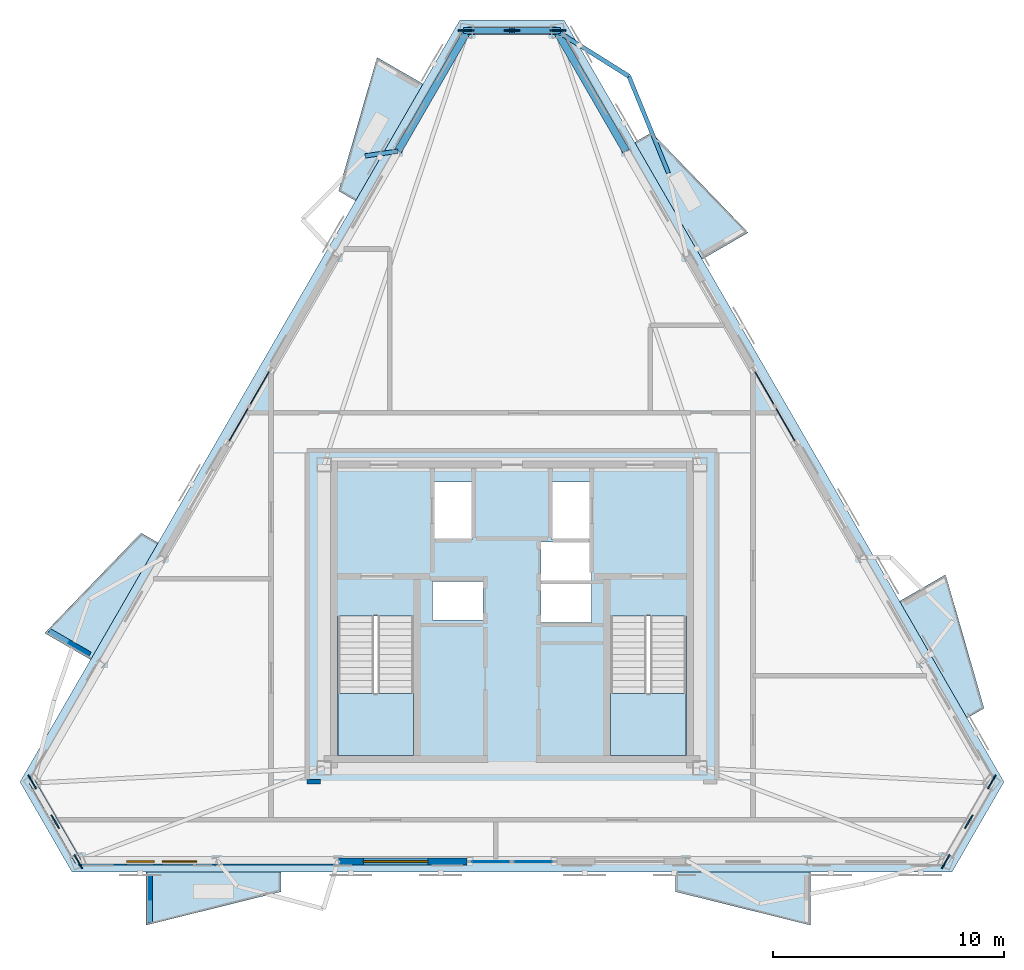
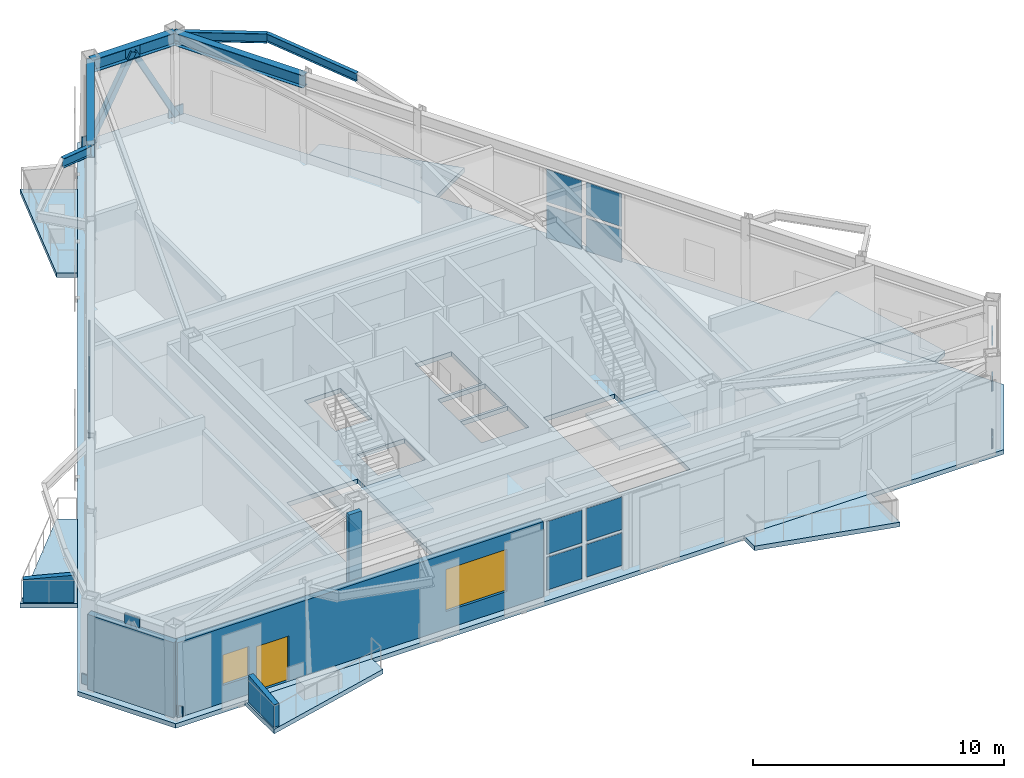
# One storey, part 9 of 16: 21 plates, 9 slabs, 6 beams, 5 walls, 2 members, 2 windows, 1 door, 3 openings, 5 elements without a shape of their own.
"""IFC4 building model written with IfcOpenShell, lengths in metres."""

import ifcopenshell
import ifcopenshell.guid

model = None  # the IFC model being written
_history = None  # IfcOwnerHistory: only IFC2X3 demands one
_inside = {}  # id of a spatial element -> (the spatial element, [elements in it])
_under = {}  # id of a project, library or spatial element -> (it, [spatial elements below it])
_declared = {}  # id of a project -> (the project, [libraries it declares])
_typed = {}  # id of a type object -> (the type object, [elements of that type])
_made_of = {}  # id of a material, layer set ... -> (it, [elements and type objects made of it])


def new_model(schema):
    """Start an empty IFC model of exactly this schema.

    Asked for "IFC4X3", IfcOpenShell would pick the latest addendum, in which some entities
    have other attributes; the version numbers below select the first issue.
    IFC2X3 requires an IfcOwnerHistory on every rooted entity: one is made here for all.
    """
    global model, _history
    if schema == "IFC4X3":
        model = ifcopenshell.file(schema_version=(4, 3, 0, 0))
    else:
        model = ifcopenshell.file(schema=schema)
    _inside.clear()
    _under.clear()
    _declared.clear()
    _typed.clear()
    _made_of.clear()
    _history = None
    if model.schema == "IFC2X3":
        org = make("IfcOrganization", Name="unknown")
        user = make(
            "IfcPersonAndOrganization",
            ThePerson=make("IfcPerson", FamilyName="unknown"),
            TheOrganization=org,
        )
        app = make(
            "IfcApplication",
            ApplicationDeveloper=org,
            Version="unknown",
            ApplicationFullName="unknown",
            ApplicationIdentifier="unknown",
        )
        _history = make(
            "IfcOwnerHistory",
            OwningUser=user,
            OwningApplication=app,
            ChangeAction="ADDED",
            CreationDate=0,
        )
    return model


def make(cls, **values):
    """One entity of the class cls with the attributes given. An attribute that is None is left unset."""
    return model.create_entity(
        cls, **{name: value for name, value in values.items() if value is not None}
    )


def rooted(cls, **values):
    """An entity with a GlobalId (a new one), such as an element, a storey or a relation."""
    return make(cls, GlobalId=ifcopenshell.guid.new(), OwnerHistory=_history, **values)


def si_unit(unit_type, name, prefix=None):
    """IfcSIUnit, for example si_unit("LENGTHUNIT", "METRE", prefix="MILLI")."""
    return make("IfcSIUnit", UnitType=unit_type, Prefix=prefix, Name=name)


def assignment(units):
    """IfcUnitAssignment: the units of a project."""
    return None if units is None else make("IfcUnitAssignment", Units=units)


def point(xyz):
    """IfcCartesianPoint."""
    return None if xyz is None else make("IfcCartesianPoint", Coordinates=xyz)


def direction(xyz):
    """IfcDirection."""
    return None if xyz is None else make("IfcDirection", DirectionRatios=xyz)


def frame(location, z_axis=None, x_axis=None):
    """IfcAxis2Placement3D, a coordinate frame: its origin and axes. An axis left out is left unset."""
    return make(
        "IfcAxis2Placement3D",
        Location=point(location),
        Axis=direction(z_axis),
        RefDirection=direction(x_axis),
    )


def frame_2d(location, x_axis=None):
    """IfcAxis2Placement2D, a coordinate frame in the plane: its origin and x axis."""
    return make(
        "IfcAxis2Placement2D", Location=point(location), RefDirection=direction(x_axis)
    )


def origin():
    """The frame at (0, 0, 0) with its axes left unset."""
    return frame((0.0, 0.0, 0.0))


def origin_2d():
    """The frame at (0, 0) in the plane with its x axis left unset."""
    return frame_2d((0.0, 0.0))


def place(relative_to, where):
    """IfcLocalPlacement: puts the frame where relative to a parent placement (None: the world)."""
    return make(
        "IfcLocalPlacement", PlacementRelTo=relative_to, RelativePlacement=where
    )


def context(
    kind, dimensions, precision=None, world=None, true_north=None, identifier=None
):
    """IfcGeometricRepresentationContext, for example the 3D "Model" context."""
    return make(
        "IfcGeometricRepresentationContext",
        ContextIdentifier=identifier,
        ContextType=kind,
        CoordinateSpaceDimension=dimensions,
        Precision=precision,
        WorldCoordinateSystem=world,
        TrueNorth=true_north,
    )


def subcontext(parent, identifier, kind, view, scale=None):
    """IfcGeometricRepresentationSubContext, for example "Body" below "Model"."""
    return make(
        "IfcGeometricRepresentationSubContext",
        ContextIdentifier=identifier,
        ContextType=kind,
        ParentContext=parent,
        TargetScale=scale,
        TargetView=view,
    )


def project(units=None, contexts=None):
    """IfcProject with its units and contexts."""
    return rooted(
        "IfcProject",
        Name="project",
        RepresentationContexts=contexts,
        UnitsInContext=assignment(units),
    )


def spatial(cls, under=None, at=None, **own):
    """A site, building, storey or space (cls), placed at a placement, below another one or the project."""
    s = rooted(cls, ObjectPlacement=at, **own)
    if under is not None:
        _under.setdefault(under.id(), (under, []))[1].append(s)
    return s


def polyline(points):
    """IfcPolyline through the points."""
    return make("IfcPolyline", Points=[point(p) for p in points])


def profile(cls, at=None, kind="AREA", **sizes):
    """A parametric profile (cls). Its sizes go by their IFC names, for example OverallWidth=200.0."""
    return make(cls, ProfileType=kind, Position=at, **sizes)


def rectangle(**sizes):
    """IfcRectangleProfileDef."""
    return profile("IfcRectangleProfileDef", **sizes)


def hollow_rectangle(**sizes):
    """IfcRectangleHollowProfileDef."""
    return profile("IfcRectangleHollowProfileDef", **sizes)


def i_section(**sizes):
    """IfcIShapeProfileDef."""
    return profile("IfcIShapeProfileDef", **sizes)


def outline(outer, holes=None, kind="AREA"):
    """IfcArbitraryClosedProfileDef: a profile drawn as a closed curve; with holes, ...WithVoids."""
    if holes is None:
        return make("IfcArbitraryClosedProfileDef", ProfileType=kind, OuterCurve=outer)
    return make(
        "IfcArbitraryProfileDefWithVoids",
        ProfileType=kind,
        OuterCurve=outer,
        InnerCurves=holes,
    )


def extrude(swept, where, along, depth):
    """IfcExtrudedAreaSolid: the profile swept, set in the frame where, extruded along a direction by depth."""
    return make(
        "IfcExtrudedAreaSolid",
        SweptArea=swept,
        Position=where,
        ExtrudedDirection=direction(along),
        Depth=depth,
    )


def shape(context_of_items, identifier, shape_type, items):
    """IfcShapeRepresentation: the items that make up one representation, for example the "Body"."""
    return make(
        "IfcShapeRepresentation",
        ContextOfItems=context_of_items,
        RepresentationIdentifier=identifier,
        RepresentationType=shape_type,
        Items=items,
    )


def material(Name=None, Category=None):
    """IfcMaterial."""
    return make("IfcMaterial", Name=Name, Category=Category)


def layer(
    of_material, thickness, ventilated=None, Name=None, Category=None, Priority=None
):
    """IfcMaterialLayer: one layer of a wall or slab, of a material (None: an air gap)."""
    return make(
        "IfcMaterialLayer",
        Material=of_material,
        LayerThickness=thickness,
        IsVentilated=ventilated,
        Name=Name,
        Category=Category,
        Priority=Priority,
    )


def layer_set(layers, Name=None):
    """IfcMaterialLayerSet."""
    return make("IfcMaterialLayerSet", MaterialLayers=layers, LayerSetName=Name)


def material_profile(
    of_material, cross_section, Name=None, Category=None, Priority=None
):
    """IfcMaterialProfile: a cross section and its material."""
    return make(
        "IfcMaterialProfile",
        Name=Name,
        Material=of_material,
        Profile=cross_section,
        Priority=Priority,
        Category=Category,
    )


def profile_set(profiles, Name=None, composite=None):
    """IfcMaterialProfileSet."""
    return make(
        "IfcMaterialProfileSet",
        Name=Name,
        MaterialProfiles=profiles,
        CompositeProfile=composite,
    )


def made_of(thing, what):
    """Note that an element or type object is made of a material, layer set ...; save() writes the relation."""
    if what is not None:
        _made_of.setdefault(what.id(), (what, []))[1].append(thing)
    return thing


def type_object(cls, material=None, **own):
    """A type object (cls), such as IfcWallType, which elements share."""
    return made_of(rooted(cls, **own), material)


def element(
    cls,
    number,
    at=None,
    inside=None,
    cuts=None,
    type_object=None,
    material=None,
    context=None,
    identifier="Body",
    shape_type=None,
    held_by="IfcProductDefinitionShape",
    body=None,
    shapes=None,
    **own,
):
    """One element of the class cls, such as IfcWall. Its Tag is "e" and its number.

    at: its placement. inside: the storey or other place that contains it. cuts: it is an
    opening in that element (IfcRelVoidsElement). A single representation is given by context,
    identifier, shape_type and body (its items); several are given by shapes. held_by: the class
    of the entity that holds the representations. save() writes the other relations.
    """
    e = rooted(cls, Tag="e%d" % number, ObjectPlacement=at, **own)
    if body is not None:
        shapes = [shape(context, identifier, shape_type, body)]
    if shapes is not None:
        e.Representation = make(held_by, Representations=shapes)
    if inside is not None:
        _inside.setdefault(inside.id(), (inside, []))[1].append(e)
    if cuts is not None:
        rooted(
            "IfcRelVoidsElement", RelatingBuildingElement=cuts, RelatedOpeningElement=e
        )
    if type_object is not None:
        _typed.setdefault(type_object.id(), (type_object, []))[1].append(e)
    return made_of(e, material)


def fill(opening, filler):
    """IfcRelFillsElement: the door or window that sits in an opening."""
    return rooted(
        "IfcRelFillsElement",
        RelatingOpeningElement=opening,
        RelatedBuildingElement=filler,
    )


def aggregate(whole, parts):
    """IfcRelAggregates: a whole, such as a stair, and the parts it consists of."""
    return rooted("IfcRelAggregates", RelatingObject=whole, RelatedObjects=parts)


def save(model, path):
    """Write the relations noted so far, then the file.

    IfcRelAggregates (storeys below a building ...), IfcRelContainedInSpatialStructure (elements
    in a storey), IfcRelDefinesByType, IfcRelAssociatesMaterial and IfcRelDeclares: one each for
    every whole, place, type object, material and project.
    """
    for whole, parts in _under.values():
        aggregate(whole, parts)
    for where, things in _inside.values():
        rooted(
            "IfcRelContainedInSpatialStructure",
            RelatedElements=things,
            RelatingStructure=where,
        )
    for kind, things in _typed.values():
        rooted("IfcRelDefinesByType", RelatedObjects=things, RelatingType=kind)
    for what, things in _made_of.values():
        rooted("IfcRelAssociatesMaterial", RelatedObjects=things, RelatingMaterial=what)
    for by, libraries in _declared.values():
        rooted("IfcRelDeclares", RelatingContext=by, RelatedDefinitions=libraries)
    model.write(path)


model = new_model("IFC4")

# Units and contexts
model_context = context("Model", 3, precision=1e-05, world=origin(), true_north=direction((0.0, 1.0)))
body_context = subcontext(model_context, "Body", "Model", "MODEL_VIEW")
ifc_project = project(units=[si_unit("LENGTHUNIT", "METRE"), si_unit("AREAUNIT", "SQUARE_METRE"), si_unit("VOLUMEUNIT", "CUBIC_METRE"), si_unit("PLANEANGLEUNIT", "RADIAN"), si_unit("MASSUNIT", "GRAM", prefix="KILO")], contexts=[model_context])

# Site, building, storey
site_placement = place(None, origin())
site = spatial("IfcSite", under=ifc_project, at=site_placement, CompositionType="ELEMENT")
building_placement = place(site_placement, origin())
building = spatial("IfcBuilding", under=site, at=building_placement, Name="Oramaril Tower", CompositionType="ELEMENT")
storey_placement = place(building_placement, frame((0.0, 0.0, 296.699951171875)))
storey = spatial("IfcBuildingStorey", under=building, at=storey_placement, Name="L78", CompositionType="ELEMENT", Elevation=296.699951171875)

# Beams
ifc_material_1 = material(Name="Steel ASTM A572 Gr 50", Category="steel")
ifc_material_profile_1 = material_profile(ifc_material_1, i_section(OverallWidth=0.19091796875, OverallDepth=0.45703125, WebThickness=0.009033203125, FlangeThickness=0.014404296875, at=origin_2d()), Name="W18X50")
ifc_profile_set_1 = profile_set([ifc_material_profile_1], Name="Steel ASTM A572 Gr 50")
beam_type_1 = type_object("IfcBeamType", Name="BT-BB1", PredefinedType="BEAM", material=ifc_profile_set_1)
beam_1_placement = place(storey_placement, frame((39.432373046875, 42.95751953125, 4.051513671875), z_axis=(0.846769030932, -0.531960720593, 0.0), x_axis=(0.531960720593, 0.846769030932, 0.0)))
element("IfcBeam", 1, at=beam_1_placement, inside=storey, type_object=beam_type_1, Name="L78 Balcony Column-Framed Cantilever 04.2", PredefinedType="BEAM", context=body_context, shape_type="SweptSolid", body=[
    extrude(i_section(OverallWidth=0.19091796875, OverallDepth=0.45703125, WebThickness=0.009033203125, FlangeThickness=0.014404296875, at=origin_2d()), origin(), (0.0, 0.0, 1.0), 3.699951171875),
])
beam_2_placement = place(storey_placement, frame((32.554931640625, 37.739501953125, 4.051513671875), z_axis=(-0.989809506369, -0.142397826887, 0.0), x_axis=(0.142397826887, -0.989809506369, 0.0)))
element("IfcBeam", 2, at=beam_2_placement, inside=storey, type_object=beam_type_1, Name="L78 Balcony Column-Framed Cantilever 05.1", PredefinedType="BEAM", context=body_context, shape_type="SweptSolid", body=[
    extrude(i_section(OverallWidth=0.19091796875, OverallDepth=0.45703125, WebThickness=0.009033203125, FlangeThickness=0.014404296875, at=origin_2d()), origin(), (0.0, 0.0, 1.0), 1.43505859375),
])
ifc_material_2 = material(Name="Steel ASTM A572 Gr 50", Category="steel")
ifc_material_profile_2 = material_profile(ifc_material_2, i_section(OverallWidth=0.177978515625, OverallDepth=0.404052734375, WebThickness=0.007568359375, FlangeThickness=0.010986328125, at=origin_2d()), Name="W16X36")
ifc_profile_set_2 = profile_set([ifc_material_profile_2], Name="Steel ASTM A572 Gr 50")
beam_type_2 = type_object("IfcBeamType", Name="BT-SB1", PredefinedType="BEAM", material=ifc_profile_set_2)
beam_3_placement = place(storey_placement, frame((44.28369140625, 36.78662109375, 4.078125), z_axis=(-0.378444399406, 0.925624025487, 0.0), x_axis=(-0.925624025487, -0.378444399406, 0.0)))
element("IfcBeam", 3, at=beam_3_placement, inside=storey, type_object=beam_type_2, Name="L78 Balcony Edge Tie Beam 04", PredefinedType="BEAM", context=body_context, shape_type="SweptSolid", body=[
    extrude(i_section(OverallWidth=0.177978515625, OverallDepth=0.404052734375, WebThickness=0.007568359375, FlangeThickness=0.010986328125, at=origin_2d()), origin(), (0.0, 0.0, 1.0), 4.540283203125),
])
ifc_material_3 = material(Name="Steel ASTM A572 Gr 50", Category="steel")
ifc_material_profile_3 = material_profile(ifc_material_3, i_section(OverallWidth=0.324951171875, OverallDepth=0.612060546875, WebThickness=0.0126953125, FlangeThickness=0.01904296875, at=origin_2d()), Name="W24X104")
ifc_profile_set_3 = profile_set([ifc_material_profile_3], Name="Steel ASTM A572 Gr 50")
beam_type_3 = type_object("IfcBeamType", Name="BT-SP5", PredefinedType="SPANDREL", material=ifc_profile_set_3)
beam_4_placement = place(storey_placement, frame((42.445068359375, 37.739501953125, 3.97412109375), z_axis=(-0.500008894883, 0.86602026826, 0.0), x_axis=(-0.86602026826, -0.500008894883, 0.0)))
element("IfcBeam", 4, at=beam_4_placement, inside=storey, type_object=beam_type_3, Name="L78 Perimeter Spandrel 12", PredefinedType="SPANDREL", context=body_context, shape_type="SweptSolid", body=[
    extrude(i_section(OverallWidth=0.324951171875, OverallDepth=0.612060546875, WebThickness=0.0126953125, FlangeThickness=0.01904296875, at=origin_2d()), origin(), (0.0, 0.0, 1.0), 6.025390625),
])
beam_5_placement = place(storey_placement, frame((39.432373046875, 42.95751953125, 3.97412109375), z_axis=(-1.0, 0.0, 0.0), x_axis=(0.0, -1.0, 0.0)))
element("IfcBeam", 5, at=beam_5_placement, inside=storey, type_object=beam_type_3, Name="L78 Perimeter Spandrel 13", PredefinedType="SPANDREL", context=body_context, shape_type="SweptSolid", body=[
    extrude(i_section(OverallWidth=0.324951171875, OverallDepth=0.612060546875, WebThickness=0.0126953125, FlangeThickness=0.01904296875, at=origin_2d()), origin(), (0.0, 0.0, 1.0), 3.86474609375),
])
beam_6_placement = place(storey_placement, frame((35.567626953125, 42.95751953125, 3.97412109375), z_axis=(-0.500008894883, -0.86602026826, 0.0), x_axis=(0.86602026826, -0.500008894883, 0.0)))
element("IfcBeam", 6, at=beam_6_placement, inside=storey, type_object=beam_type_3, Name="L78 Perimeter Spandrel 14", PredefinedType="SPANDREL", context=body_context, shape_type="SweptSolid", body=[
    extrude(i_section(OverallWidth=0.324951171875, OverallDepth=0.612060546875, WebThickness=0.0126953125, FlangeThickness=0.01904296875, at=origin_2d()), origin(), (0.0, 0.0, 1.0), 6.025390625),
])

# Members
ifc_material_4 = material(Name="Steel ASTM A572 Gr 50", Category="steel")
ifc_material_profile_4 = material_profile(ifc_material_4, hollow_rectangle(XDim=0.25, YDim=0.25, WallThickness=0.011962890625, at=origin_2d()), Name="HSS250X250X12")
ifc_profile_set_4 = profile_set([ifc_material_profile_4], Name="Steel ASTM A572 Gr 50")
member_type = type_object("IfcMemberType", Name="MT-KB3", PredefinedType="BRACE", material=ifc_profile_set_4)
for number, where, z_axis, x_axis, name in (
    (7, (39.4921875, 42.966796875, 0.179931640625), (-0.464877442587, 0.0, 0.885375041084), (0.0, -1.0, 0.0), "L78 Perimeter Chevron Brace KB-3A"),
    (8, (35.5078125, 42.966796875, 0.179931640625), (0.464877442587, 0.0, 0.885375041084), (0.0, 1.0, 0.0), "L78 Perimeter Chevron Brace KB-3B"),
):
    element("IfcMember", number, at=place(storey_placement, frame(where, z_axis=z_axis, x_axis=x_axis)), inside=storey, type_object=member_type, Name=name, PredefinedType="BRACE", context=body_context, shape_type="SweptSolid", body=[
        extrude(hollow_rectangle(XDim=0.25, YDim=0.25, WallThickness=0.011962890625, at=origin_2d()), origin(), (0.0, 0.0, 1.0), 4.285400390625),
    ])

# Curtain wall, plates
ifc_material_5 = material(Name="Anodised Aluminium 6063-T6", Category="aluminium")
ifc_layer_1 = layer(ifc_material_5, 0.219970703125)
ifc_layer_set_1 = layer_set([ifc_layer_1], Name="CWT-SYS5")
curtain_wall_type = type_object("IfcCurtainWallType", Name="CWT-SYS5", PredefinedType="NOTDEFINED", material=ifc_layer_set_1)
curtain_wall_1_placement = place(storey_placement, origin())
curtain_wall_1 = element("IfcCurtainWall", 9, at=curtain_wall_1_placement, inside=storey, type_object=curtain_wall_type, Name="L78 Unitised Curtain Wall CW-5", PredefinedType="NOTDEFINED")
ifc_material_6 = material(Name="Coastal Low-E Insulated Glass", Category="glass")
ifc_layer_2 = layer(ifc_material_6, 0.0400390625)
ifc_layer_set_2 = layer_set([ifc_layer_2], Name="PLT-CWP4")
plate_type_1 = type_object("IfcPlateType", Name="PLT-CWP4", PredefinedType="CURTAIN_PANEL", material=ifc_layer_set_2)
plate_1_placement = place(storey_placement, frame((36.580078125, 6.94140625, 0.16015625), z_axis=(0.0, 0.0, 1.0), x_axis=(1.0, 0.0, 0.0)))
plate_1 = element("IfcPlate", 10, at=plate_1_placement, type_object=plate_type_1, Name="CW-5 panel 1.1", PredefinedType="CURTAIN_PANEL", context=body_context, shape_type="SweptSolid", body=[
    extrude(rectangle(XDim=1.6201171875, YDim=0.0400390625, at=origin_2d()), origin(), (0.0, 0.0, 1.0), 1.589111328125),
])
plate_2_placement = place(storey_placement, frame((36.580078125, 6.94140625, 1.9091796875), z_axis=(0.0, 0.0, 1.0), x_axis=(1.0, 0.0, 0.0)))
plate_2 = element("IfcPlate", 11, at=plate_2_placement, type_object=plate_type_1, Name="CW-5 panel 1.2", PredefinedType="CURTAIN_PANEL", context=body_context, shape_type="SweptSolid", body=[
    extrude(rectangle(XDim=1.6201171875, YDim=0.0400390625, at=origin_2d()), origin(), (0.0, 0.0, 1.0), 1.589111328125),
])
plate_3_placement = place(storey_placement, frame((38.419921875, 6.94140625, 0.16015625), z_axis=(0.0, 0.0, 1.0), x_axis=(1.0, 0.0, 0.0)))
plate_3 = element("IfcPlate", 12, at=plate_3_placement, type_object=plate_type_1, Name="CW-5 panel 2.1", PredefinedType="CURTAIN_PANEL", context=body_context, shape_type="SweptSolid", body=[
    extrude(rectangle(XDim=1.6201171875, YDim=0.0400390625, at=origin_2d()), origin(), (0.0, 0.0, 1.0), 1.589111328125),
])
plate_4_placement = place(storey_placement, frame((38.419921875, 6.94140625, 1.9091796875), z_axis=(0.0, 0.0, 1.0), x_axis=(1.0, 0.0, 0.0)))
plate_4 = element("IfcPlate", 13, at=plate_4_placement, type_object=plate_type_1, Name="CW-5 panel 2.2", PredefinedType="CURTAIN_PANEL", context=body_context, shape_type="SweptSolid", body=[
    extrude(rectangle(XDim=1.6201171875, YDim=0.0400390625, at=origin_2d()), origin(), (0.0, 0.0, 1.0), 1.589111328125),
])
aggregate(curtain_wall_1, [plate_1, plate_2, plate_3, plate_4])

curtain_wall_2_placement = place(storey_placement, origin())
curtain_wall_2 = element("IfcCurtainWall", 14, at=curtain_wall_2_placement, inside=storey, type_object=curtain_wall_type, Name="L78 Unitised Curtain Wall CW-5", PredefinedType="NOTDEFINED")
plate_5_placement = place(storey_placement, frame((49.355712890625, 25.882568359375, 0.16015625), z_axis=(0.0, 0.0, 1.0), x_axis=(-0.499999897278, 0.866025463091, 0.0)))
plate_5 = element("IfcPlate", 15, at=plate_5_placement, type_object=plate_type_1, Name="CW-5 panel 1.1", PredefinedType="CURTAIN_PANEL", context=body_context, shape_type="SweptSolid", body=[
    extrude(rectangle(XDim=1.6201171875, YDim=0.0400390625, at=origin_2d()), origin(), (0.0, 0.0, 1.0), 1.589111328125),
])
plate_6_placement = place(storey_placement, frame((49.355712890625, 25.882568359375, 1.9091796875), z_axis=(0.0, 0.0, 1.0), x_axis=(-0.499999897278, 0.866025463091, 0.0)))
plate_6 = element("IfcPlate", 16, at=plate_6_placement, type_object=plate_type_1, Name="CW-5 panel 1.2", PredefinedType="CURTAIN_PANEL", context=body_context, shape_type="SweptSolid", body=[
    extrude(rectangle(XDim=1.6201171875, YDim=0.0400390625, at=origin_2d()), origin(), (0.0, 0.0, 1.0), 1.589111328125),
])
plate_7_placement = place(storey_placement, frame((48.435791015625, 27.47607421875, 0.16015625), z_axis=(0.0, 0.0, 1.0), x_axis=(-0.499999897278, 0.866025463091, 0.0)))
plate_7 = element("IfcPlate", 17, at=plate_7_placement, type_object=plate_type_1, Name="CW-5 panel 2.1", PredefinedType="CURTAIN_PANEL", context=body_context, shape_type="SweptSolid", body=[
    extrude(rectangle(XDim=1.6201171875, YDim=0.0400390625, at=origin_2d()), origin(), (0.0, 0.0, 1.0), 1.589111328125),
])
plate_8_placement = place(storey_placement, frame((48.435791015625, 27.47607421875, 1.9091796875), z_axis=(0.0, 0.0, 1.0), x_axis=(-0.499999897278, 0.866025463091, 0.0)))
plate_8 = element("IfcPlate", 18, at=plate_8_placement, type_object=plate_type_1, Name="CW-5 panel 2.2", PredefinedType="CURTAIN_PANEL", context=body_context, shape_type="SweptSolid", body=[
    extrude(rectangle(XDim=1.6201171875, YDim=0.0400390625, at=origin_2d()), origin(), (0.0, 0.0, 1.0), 1.589111328125),
])
aggregate(curtain_wall_2, [plate_5, plate_6, plate_7, plate_8])

curtain_wall_3_placement = place(storey_placement, origin())
curtain_wall_3 = element("IfcCurtainWall", 19, at=curtain_wall_3_placement, inside=storey, type_object=curtain_wall_type, Name="L78 Unitised Curtain Wall CW-5", PredefinedType="NOTDEFINED")
plate_9_placement = place(storey_placement, frame((26.564453125, 27.47607421875, 0.16015625), z_axis=(0.0, 0.0, 1.0), x_axis=(-0.499999897278, -0.866025463091, 0.0)))
plate_9 = element("IfcPlate", 20, at=plate_9_placement, type_object=plate_type_1, Name="CW-5 panel 1.1", PredefinedType="CURTAIN_PANEL", context=body_context, shape_type="SweptSolid", body=[
    extrude(rectangle(XDim=1.6201171875, YDim=0.0400390625, at=origin_2d()), origin(), (0.0, 0.0, 1.0), 1.589111328125),
])
plate_10_placement = place(storey_placement, frame((26.564453125, 27.47607421875, 1.9091796875), z_axis=(0.0, 0.0, 1.0), x_axis=(-0.499999897278, -0.866025463091, 0.0)))
plate_10 = element("IfcPlate", 21, at=plate_10_placement, type_object=plate_type_1, Name="CW-5 panel 1.2", PredefinedType="CURTAIN_PANEL", context=body_context, shape_type="SweptSolid", body=[
    extrude(rectangle(XDim=1.6201171875, YDim=0.0400390625, at=origin_2d()), origin(), (0.0, 0.0, 1.0), 1.589111328125),
])
plate_11_placement = place(storey_placement, frame((25.644287109375, 25.882568359375, 0.16015625), z_axis=(0.0, 0.0, 1.0), x_axis=(-0.499999897278, -0.866025463091, 0.0)))
plate_11 = element("IfcPlate", 22, at=plate_11_placement, type_object=plate_type_1, Name="CW-5 panel 2.1", PredefinedType="CURTAIN_PANEL", context=body_context, shape_type="SweptSolid", body=[
    extrude(rectangle(XDim=1.6201171875, YDim=0.0400390625, at=origin_2d()), origin(), (0.0, 0.0, 1.0), 1.589111328125),
])
plate_12_placement = place(storey_placement, frame((25.644287109375, 25.882568359375, 1.9091796875), z_axis=(0.0, 0.0, 1.0), x_axis=(-0.499999897278, -0.866025463091, 0.0)))
plate_12 = element("IfcPlate", 23, at=plate_12_placement, type_object=plate_type_1, Name="CW-5 panel 2.2", PredefinedType="CURTAIN_PANEL", context=body_context, shape_type="SweptSolid", body=[
    extrude(rectangle(XDim=1.6201171875, YDim=0.0400390625, at=origin_2d()), origin(), (0.0, 0.0, 1.0), 1.589111328125),
])
aggregate(curtain_wall_3, [plate_9, plate_10, plate_11, plate_12])

# Plates
ifc_material_7 = material(Name="Steel ASTM A572 Gr 50", Category="steel")
ifc_layer_3 = layer(ifc_material_7, 0.06005859375)
ifc_layer_set_3 = layer_set([ifc_layer_3], Name="PLT-G60")
plate_type_2 = type_object("IfcPlateType", Name="PLT-G60", PredefinedType="USERDEFINED", material=ifc_layer_set_3)
for number, where, z_axis, x_axis, name in (
    (24, (17.697021484375, 8.666748046875, 3.734130859375), (0.0, 0.0, 1.0), (0.499990930976, -0.866030639725, 0.0), "L78 Chevron Brace Gusset Plate BN-1"),
    (25, (16.70068359375, 10.391845703125, 0.10009765625), (0.0, 0.0, 1.0), (0.499990930976, -0.866030639725, 0.0), "L78 Chevron Brace Gusset Plate BN-1"),
    (26, (18.69287109375, 6.94140625, 0.10009765625), (0.0, 0.0, 1.0), (0.499990930976, -0.866030639725, 0.0), "L78 Chevron Brace Gusset Plate BN-1"),
    (27, (57.30322265625, 8.666748046875, 3.734130859375), (0.0, 0.0, 1.0), (0.499990930976, 0.866030639725, 0.0), "L78 Chevron Brace Gusset Plate BN-1"),
    (28, (56.30712890625, 6.94140625, 0.10009765625), (0.0, 0.0, 1.0), (0.499990930976, 0.866030639725, 0.0), "L78 Chevron Brace Gusset Plate BN-1"),
    (29, (58.29931640625, 10.391845703125, 0.10009765625), (0.0, 0.0, 1.0), (0.499990930976, 0.866030639725, 0.0), "L78 Chevron Brace Gusset Plate BN-1"),
    (30, (37.5, 42.966796875, 3.734130859375), (0.0, 0.0, 1.0), (-1.0, 0.0, 0.0), "L78 Chevron Brace Gusset Plate BN-1"),
    (31, (39.4921875, 42.966796875, 0.10009765625), (0.0, 0.0, 1.0), (-1.0, 0.0, 0.0), "L78 Chevron Brace Gusset Plate BN-1"),
    (32, (35.5078125, 42.966796875, 0.10009765625), (0.0, 0.0, 1.0), (-1.0, 0.0, 0.0), "L78 Chevron Brace Gusset Plate BN-1"),
):
    element("IfcPlate", number, at=place(storey_placement, frame(where, z_axis=z_axis, x_axis=x_axis)), inside=storey, type_object=plate_type_2, Name=name, ObjectType="GUSSET", PredefinedType="USERDEFINED", context=body_context, shape_type="SweptSolid", body=[
        extrude(rectangle(XDim=0.679931640625, YDim=0.06005859375, at=origin_2d()), origin(), (0.0, 0.0, 1.0), 0.47998046875),
    ])

# Slabs
ifc_material_8 = material(Name="Concrete C40/50", Category="concrete")
ifc_layer_4 = layer(ifc_material_8, 0.199951171875)
ifc_layer_set_4 = layer_set([ifc_layer_4], Name="SLT-BAL20")
slab_type_1 = type_object("IfcSlabType", Name="SLT-BAL20", PredefinedType="FLOOR", material=ifc_layer_set_4)
slab_1_placement = place(storey_placement, frame((0.0, 0.0, -0.219970703125)))
element("IfcSlab", 33, at=slab_1_placement, inside=storey, type_object=slab_type_1, Name="L78 Cantilevered Balcony Slab L78-BAL-S2", PredefinedType="FLOOR", context=body_context, shape_type="SweptSolid", body=[
    extrude(outline(polyline([(44.59765625, 6.4833984375), (50.44775390625, 6.4833984375), (50.44775390625, 4.181396484375), (44.59765625, 5.63134765625), (44.59765625, 6.4833984375)])), origin(), (0.0, 0.0, 1.0), 0.219970703125),
])
slab_2_placement = place(storey_placement, frame((0.0, 0.0, -0.219970703125)))
element("IfcSlab", 34, at=slab_2_placement, inside=storey, type_object=slab_type_1, Name="L78 Cantilevered Balcony Slab L78-BAL-NE1", PredefinedType="FLOOR", context=body_context, shape_type="SweptSolid", body=[
    extrude(outline(polyline([(57.228759765625, 13.162109375), (54.3037109375, 18.228515625), (56.29736328125, 19.37939453125), (57.966552734375, 13.588134765625), (57.228759765625, 13.162109375)])), origin(), (0.0, 0.0, 1.0), 0.219970703125),
])
slab_3_placement = place(storey_placement, frame((0.0, 0.0, -0.219970703125)))
element("IfcSlab", 35, at=slab_3_placement, inside=storey, type_object=slab_type_1, Name="L78 Cantilevered Balcony Slab L78-BAL-NW2", PredefinedType="FLOOR", context=body_context, shape_type="SweptSolid", body=[
    extrude(outline(polyline([(22.15869140625, 20.76171875), (19.23388671875, 15.6953125), (17.240234375, 16.84619140625), (21.4208984375, 21.1875), (22.15869140625, 20.76171875)])), origin(), (0.0, 0.0, 1.0), 0.219970703125),
])
ifc_material_9 = material(Name="Concrete C50/60", Category="concrete")
ifc_layer_5 = layer(ifc_material_9, 0.219970703125)
ifc_layer_set_5 = layer_set([ifc_layer_5], Name="SLT-FLR22")
slab_type_2 = type_object("IfcSlabType", Name="SLT-FLR22", PredefinedType="FLOOR", material=ifc_layer_set_5)
slab_4_placement = place(storey_placement, frame((0.0, 0.0, -0.219970703125)))
element("IfcSlab", 36, at=slab_4_placement, inside=storey, type_object=slab_type_2, Name="L78 Structural Floor Slab", PredefinedType="FLOOR", context=body_context, shape_type="SweptSolid", body=[
    extrude(outline(polyline([(16.169677734375, 10.391845703125), (18.42724609375, 6.4814453125), (56.57275390625, 6.4814453125), (58.830322265625, 10.391845703125), (39.7578125, 43.4267578125), (35.2421875, 43.4267578125), (16.169677734375, 10.391845703125)]), holes=[polyline([(29.949951171875, 17.58935546875), (29.949951171875, 11.550048828125), (33.219970703125, 11.550048828125), (33.219970703125, 17.58935546875), (29.949951171875, 17.58935546875)]), polyline([(41.780029296875, 17.58935546875), (41.780029296875, 11.550048828125), (45.050048828125, 11.550048828125), (45.050048828125, 17.58935546875), (41.780029296875, 17.58935546875)]), polyline([(34.110107421875, 20.909912109375), (35.7900390625, 20.909912109375), (35.7900390625, 23.389892578125), (34.110107421875, 23.389892578125), (34.110107421875, 20.909912109375)]), polyline([(39.2099609375, 20.909912109375), (40.889892578125, 20.909912109375), (40.889892578125, 23.389892578125), (39.2099609375, 23.389892578125), (39.2099609375, 20.909912109375)]), polyline([(34.06005859375, 17.409912109375), (36.239990234375, 17.409912109375), (36.239990234375, 19.090087890625), (34.06005859375, 19.090087890625), (34.06005859375, 17.409912109375)]), polyline([(38.760009765625, 17.31005859375), (40.93994140625, 17.31005859375), (40.93994140625, 18.989990234375), (38.760009765625, 18.989990234375), (38.760009765625, 17.31005859375)]), polyline([(38.760009765625, 19.110107421875), (40.93994140625, 19.110107421875), (40.93994140625, 20.7900390625), (38.760009765625, 20.7900390625), (38.760009765625, 19.110107421875)])]), origin(), (0.0, 0.0, 1.0), 0.219970703125),
])

# Stair, slab
ifc_material_10 = material(Name="Concrete C50/60", Category="concrete")
stair_type = type_object("IfcStairType", Name="STT-DG-4500", PredefinedType="HALF_TURN_STAIR", material=ifc_material_10)
stair_1_placement = place(storey_placement, origin())
stair_1 = element("IfcStair", 37, at=stair_1_placement, inside=storey, type_object=stair_type, Name="L78 Protected PFP Exit Stair ST-1", PredefinedType="HALF_TURN_STAIR")
ifc_material_11 = material(Name="Concrete C50/60", Category="concrete")
ifc_layer_6 = layer(ifc_material_11, 0.199951171875)
ifc_layer_set_6 = layer_set([ifc_layer_6], Name="SLT-LND20")
slab_type_3 = type_object("IfcSlabType", Name="SLT-LND20", PredefinedType="LANDING", material=ifc_layer_set_6)
slab_5_placement = place(storey_placement, frame((0.0, 0.0, 2.050048828125)))
slab_5 = element("IfcSlab", 38, at=slab_5_placement, type_object=slab_type_3, Name="ST-1 landing 1", PredefinedType="LANDING", context=body_context, shape_type="SweptSolid", body=[
    extrude(outline(polyline([(29.949951171875, 14.22998046875), (29.949951171875, 11.550048828125), (33.219970703125, 11.550048828125), (33.219970703125, 14.22998046875), (29.949951171875, 14.22998046875)])), origin(), (0.0, 0.0, 1.0), 0.199951171875),
])
aggregate(stair_1, [slab_5])

stair_2_placement = place(storey_placement, origin())
stair_2 = element("IfcStair", 39, at=stair_2_placement, inside=storey, type_object=stair_type, Name="L78 Protected PFP Exit Stair ST-2", PredefinedType="HALF_TURN_STAIR")
slab_6_placement = place(storey_placement, frame((0.0, 0.0, 2.050048828125)))
slab_6 = element("IfcSlab", 40, at=slab_6_placement, type_object=slab_type_3, Name="ST-2 landing 1", PredefinedType="LANDING", context=body_context, shape_type="SweptSolid", body=[
    extrude(outline(polyline([(41.780029296875, 14.22998046875), (41.780029296875, 11.550048828125), (45.050048828125, 11.550048828125), (45.050048828125, 14.22998046875), (41.780029296875, 14.22998046875)])), origin(), (0.0, 0.0, 1.0), 0.199951171875),
])
aggregate(stair_2, [slab_6])

# Slabs
ifc_material_12 = material(Name="Concrete C40/50", Category="concrete")
ifc_layer_7 = layer(ifc_material_12, 0.18994140625)
ifc_layer_set_7 = layer_set([ifc_layer_7], Name="SLT-PLN19")
slab_type_4 = type_object("IfcSlabType", Name="SLT-PLN19", PredefinedType="FLOOR", material=ifc_layer_set_7)
slab_7_placement = place(storey_placement, frame((0.0, 0.0, -0.219970703125)))
element("IfcSlab", 41, at=slab_7_placement, inside=storey, type_object=slab_type_4, Name="L78 Tree Planter Balcony Slab L78-BAL-S1", PredefinedType="FLOOR", context=body_context, shape_type="SweptSolid", body=[
    extrude(outline(polyline([(21.627197265625, 6.4833984375), (27.477294921875, 6.4833984375), (27.477294921875, 5.63134765625), (21.627197265625, 4.181396484375), (21.627197265625, 6.4833984375)])), origin(), (0.0, 0.0, 1.0), 0.219970703125),
])
slab_8_placement = place(storey_placement, frame((0.0, 0.0, -0.219970703125)))
element("IfcSlab", 42, at=slab_8_placement, inside=storey, type_object=slab_type_4, Name="L78 Tree Planter Balcony Slab L78-BAL-NE2", PredefinedType="FLOOR", context=body_context, shape_type="SweptSolid", body=[
    extrude(outline(polyline([(45.743408203125, 33.05517578125), (42.818603515625, 38.121337890625), (43.556396484375, 38.54736328125), (47.737060546875, 34.2060546875), (45.743408203125, 33.05517578125)])), origin(), (0.0, 0.0, 1.0), 0.219970703125),
])
slab_9_placement = place(storey_placement, frame((0.0, 0.0, -0.219970703125)))
element("IfcSlab", 43, at=slab_9_placement, inside=storey, type_object=slab_type_4, Name="L78 Tree Planter Balcony Slab L78-BAL-NW1", PredefinedType="FLOOR", context=body_context, shape_type="SweptSolid", body=[
    extrude(outline(polyline([(33.64404296875, 40.654541015625), (30.718994140625, 35.58837890625), (29.981201171875, 36.014404296875), (31.650390625, 41.805419921875), (33.64404296875, 40.654541015625)])), origin(), (0.0, 0.0, 1.0), 0.219970703125),
])

# Wall
ifc_material_13 = material(Name="Warm Cream Limestone", Category="masonry")
ifc_layer_8 = layer(ifc_material_13, 0.2900390625)
ifc_layer_set_8 = layer_set([ifc_layer_8], Name="WT-EXT29")
wall_type_1 = type_object("IfcWallType", Name="WT-EXT29", PredefinedType="SOLIDWALL", material=ifc_layer_set_8)
wall_1_placement = place(storey_placement, frame((16.70068359375, 10.391845703125, 0.0), z_axis=(0.0, 0.0, 1.0), x_axis=(0.500014184414, -0.866017214255, 0.0)))
element("IfcWall", 44, at=wall_1_placement, inside=storey, type_object=wall_type_1, Name="L78 Tower Limestone Facade Wall 1M", PredefinedType="SOLIDWALL", context=body_context, shape_type="SweptSolid", body=[
    extrude(rectangle(XDim=3.984375, YDim=0.2900390625, at=frame_2d((1.9921875, 0.0))), origin(), (0.0, 0.0, 1.0), 3.657958984375),
])

# Wall, openings, door, windows
wall_2_placement = place(storey_placement, frame((18.69287109375, 6.94140625, 0.0), z_axis=(0.0, 0.0, 1.0), x_axis=(1.0, 0.0, 0.0)))
wall_2 = element("IfcWall", 45, at=wall_2_placement, inside=storey, type_object=wall_type_1, Name="L78 Tower Limestone Facade Wall 2L", PredefinedType="SOLIDWALL", context=body_context, shape_type="SweptSolid", body=[
    extrude(rectangle(XDim=16.857177734375, YDim=0.2900390625, at=frame_2d((8.4287109375, 0.0))), origin(), (0.0, 0.0, 1.0), 3.657958984375),
])
opening_1_placement = place(wall_2_placement, frame((3.639404296875, 0.0, 0.0)))
opening_1 = element("IfcOpeningElement", 46, at=opening_1_placement, cuts=wall_2, Name="Opening D-L78-BAL-S1", PredefinedType="OPENING", context=body_context, shape_type="SweptSolid", body=[
    extrude(rectangle(XDim=1.5, YDim=2.199951171875, at=frame_2d((0.75, 1.10009765625))), frame((0.0, 0.14501953125, 0.0), z_axis=(0.0, -1.0, 0.0), x_axis=(1.0, 0.0, 0.0)), (0.0, 0.0, 1.0), 0.2900390625),
])
opening_2_placement = place(wall_2_placement, frame((2.094482421875, 0.0, 0.85009765625)))
opening_2 = element("IfcOpeningElement", 47, at=opening_2_placement, cuts=wall_2, Name="Opening WN-09", PredefinedType="OPENING", context=body_context, shape_type="SweptSolid", body=[
    extrude(rectangle(XDim=1.199951171875, YDim=1.47998046875, at=frame_2d((0.60009765625, 0.739990234375))), frame((0.0, 0.14501953125, 0.0), z_axis=(0.0, -1.0, 0.0), x_axis=(1.0, 0.0, 0.0)), (0.0, 0.0, 1.0), 0.2900390625),
])
opening_3_placement = place(wall_2_placement, frame((12.362548828125, 0.0, 0.85009765625)))
opening_3 = element("IfcOpeningElement", 48, at=opening_3_placement, cuts=wall_2, Name="Opening WN-01", PredefinedType="OPENING", context=body_context, shape_type="SweptSolid", body=[
    extrude(rectangle(XDim=2.800048828125, YDim=2.050048828125, at=frame_2d((1.39990234375, 1.02490234375))), frame((0.0, 0.14501953125, 0.0), z_axis=(0.0, -1.0, 0.0), x_axis=(1.0, 0.0, 0.0)), (0.0, 0.0, 1.0), 0.2900390625),
])
ifc_material_14 = material(Name="Anodised Aluminium 6063-T6", Category="aluminium")
door_type = type_object("IfcDoorType", Name="DT-BAL", OperationType="NOTDEFINED", PredefinedType="DOOR", material=ifc_material_14)
door_placement = place(opening_1_placement, origin())
door = element("IfcDoor", 49, at=door_placement, inside=storey, type_object=door_type, Name="L78 Balcony Glazed Door L78-BAL-S1", OperationType="SINGLE_SWING_LEFT", OverallHeight=2.199951171875, OverallWidth=1.5, PredefinedType="DOOR", context=body_context, shape_type="SweptSolid", body=[
    extrude(rectangle(XDim=1.5, YDim=2.199951171875, at=frame_2d((0.75, 1.10009765625))), frame((0.0, 0.02490234375, 0.0), z_axis=(0.0, -1.0, 0.0), x_axis=(1.0, 0.0, 0.0)), (0.0, 0.0, 1.0), 0.050048828125),
])
fill(opening_1, door)
ifc_material_15 = material(Name="Coastal Low-E Insulated Glass", Category="glass")
window_type_1 = type_object("IfcWindowType", Name="WNT-01", PartitioningType="SINGLE_PANEL", PredefinedType="WINDOW", material=ifc_material_15)
window_1_placement = place(opening_3_placement, origin())
window_1 = element("IfcWindow", 50, at=window_1_placement, inside=storey, type_object=window_type_1, Name="L78 Chicago Bay Window WN-01", OverallHeight=2.050048828125, OverallWidth=2.800048828125, PartitioningType="SINGLE_PANEL", PredefinedType="WINDOW", context=body_context, shape_type="SweptSolid", body=[
    extrude(rectangle(XDim=2.800048828125, YDim=2.050048828125, at=frame_2d((1.39990234375, 1.02490234375))), frame((0.0, 0.030029296875, 0.0), z_axis=(0.0, -1.0, 0.0), x_axis=(1.0, 0.0, 0.0)), (0.0, 0.0, 1.0), 0.06005859375),
])
fill(opening_3, window_1)
ifc_material_16 = material(Name="Coastal Low-E Insulated Glass", Category="glass")
window_type_2 = type_object("IfcWindowType", Name="WNT-09", PartitioningType="SINGLE_PANEL", PredefinedType="WINDOW", material=ifc_material_16)
window_2_placement = place(opening_2_placement, origin())
window_2 = element("IfcWindow", 51, at=window_2_placement, inside=storey, type_object=window_type_2, Name="L78 Chicago Bay Window WN-09", OverallHeight=1.47998046875, OverallWidth=1.199951171875, PartitioningType="SINGLE_PANEL", PredefinedType="WINDOW", context=body_context, shape_type="SweptSolid", body=[
    extrude(rectangle(XDim=1.199951171875, YDim=1.47998046875, at=frame_2d((0.60009765625, 0.739990234375))), frame((0.0, 0.030029296875, 0.0), z_axis=(0.0, -1.0, 0.0), x_axis=(1.0, 0.0, 0.0)), (0.0, 0.0, 1.0), 0.06005859375),
])
fill(opening_2, window_2)

# Walls
ifc_material_17 = material(Name="Concrete C40/50", Category="concrete")
ifc_layer_9 = layer(ifc_material_17, 0.22998046875)
ifc_layer_set_9 = layer_set([ifc_layer_9], Name="WT-PRP23")
wall_type_2 = type_object("IfcWallType", Name="WT-PRP23", PredefinedType="PARAPET", material=ifc_layer_set_9)
for number, where, z_axis, x_axis, name in (
    (52, (21.807373046875, 6.343505859375, 0.0), (0.0, 0.0, 1.0), (0.0, -1.0, 0.0), "L78 Trapezoidal Balcony Frame Cheek L78-BAL-S1-L"),
    (53, (19.20263671875, 15.921142578125, 0.0), (0.0, 0.0, 1.0), (-0.866042246008, 0.499970827278, 0.0), "L78 Trapezoidal Balcony Frame Cheek L78-BAL-NW2-R"),
):
    element("IfcWall", number, at=place(storey_placement, frame(where, z_axis=z_axis, x_axis=x_axis)), inside=storey, type_object=wall_type_2, Name=name, PredefinedType="PARAPET", context=body_context, shape_type="SweptSolid", body=[
        extrude(outline(polyline([(0.0, 0.0), (2.0419921875, 0.0), (2.0419921875, 1.10009765625), (0.0, 1.320068359375), (0.0, 0.0)])), frame((0.0, 0.114990234375, 0.0), z_axis=(0.0, -1.0, 0.0), x_axis=(1.0, 0.0, 0.0)), (0.0, 0.0, 1.0), 0.22998046875),
    ])
ifc_material_18 = material(Name="Autoclaved Cellular Concrete Block", Category="concrete")
ifc_layer_10 = layer(ifc_material_18, 0.199951171875)
ifc_layer_set_10 = layer_set([ifc_layer_10], Name="WT-PT20")
wall_type_3 = type_object("IfcWallType", Name="WT-PT20", PredefinedType="PARTITIONING", material=ifc_layer_set_10)
wall_3_placement = place(storey_placement, frame((28.6201171875, 10.39990234375, 0.0), z_axis=(0.0, 0.0, 1.0), x_axis=(1.0, 0.0, 0.0)))
element("IfcWall", 54, at=wall_3_placement, inside=storey, type_object=wall_type_3, Name="L78 Interior Partition PT-20", PredefinedType="PARTITIONING", context=body_context, shape_type="SweptSolid", body=[
    extrude(rectangle(XDim=0.579833984375, YDim=0.199951171875, at=frame_2d((0.2900390625, 0.0))), origin(), (0.0, 0.0, 1.0), 4.280029296875),
])

save(model, "model.ifc")
